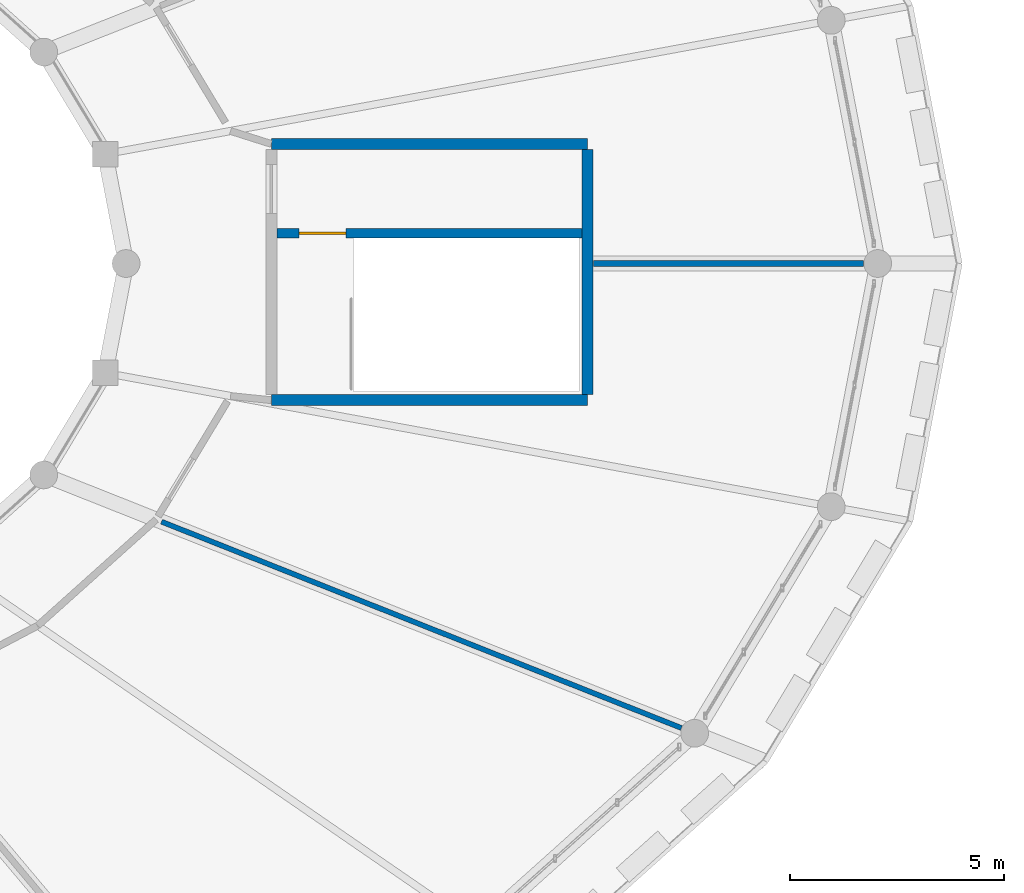
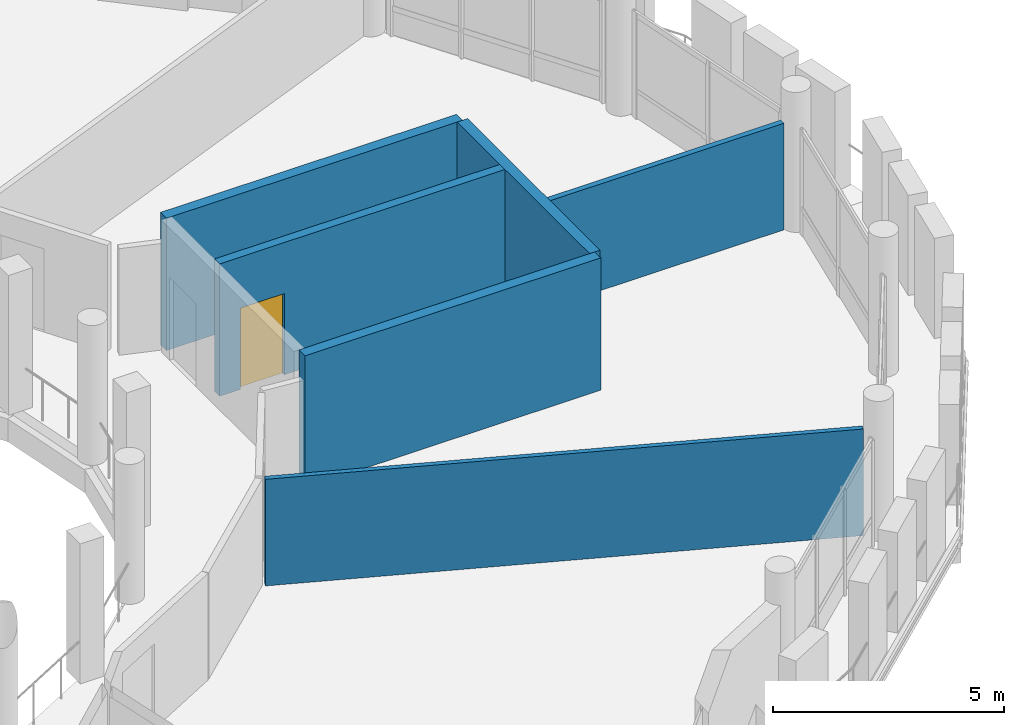
# One storey, part 71 of 84: 6 walls, 1 door, 1 opening.
"""IFC4 building model written with IfcOpenShell, lengths in metres."""

from ifc_helpers import new_model, si_unit, direction, frame, frame_2d, origin, place, context, subcontext, project, spatial, rectangle, extrude, material, layer, layer_set, type_object, element, fill, save


model = new_model("IFC4")

# Units and contexts
model_context = context("Model", 3, precision=1e-05, world=origin(), true_north=direction((0.0, 1.0)))
body_context = subcontext(model_context, "Body", "Model", "MODEL_VIEW")
ifc_project = project(units=[si_unit("LENGTHUNIT", "METRE"), si_unit("AREAUNIT", "SQUARE_METRE"), si_unit("VOLUMEUNIT", "CUBIC_METRE"), si_unit("PLANEANGLEUNIT", "RADIAN"), si_unit("MASSUNIT", "GRAM", prefix="KILO")], contexts=[model_context])

# Site, building, storey
site_placement = place(None, origin())
site = spatial("IfcSite", under=ifc_project, at=site_placement, CompositionType="ELEMENT")
building_placement = place(site_placement, origin())
building = spatial("IfcBuilding", under=site, at=building_placement, Name="Zornivar Specialist Clinic", CompositionType="ELEMENT")
storey_placement = place(building_placement, frame((0.0, 0.0, 12.300048828125)))
storey = spatial("IfcBuildingStorey", under=building, at=storey_placement, Name="L03", CompositionType="ELEMENT", Elevation=12.300048828125)

# Walls
ifc_material_1 = material(Name="Acoustic Clinical Stud Partition")
ifc_layer_1 = layer(ifc_material_1, 0.139892578125)
ifc_layer_set_1 = layer_set([ifc_layer_1], Name="Acoustic Clinical Stud Partition")
wall_type_1 = type_object("IfcWallType", Name="IW-CLIN-140", PredefinedType="PARTITIONING", material=ifc_layer_set_1)
wall_1_placement = place(storey_placement, frame((125.264892578125, 57.60009765625, 0.0), z_axis=(0.0, 0.0, 1.0), x_axis=(-1.0, 0.0, 0.0)))
element("IfcWall", 1, at=wall_1_placement, inside=storey, type_object=wall_type_1, Name="iw:L03:003", PredefinedType="PARTITIONING", context=body_context, shape_type="SweptSolid", body=[
    extrude(rectangle(XDim=6.31982421875, YDim=0.139892578125, at=frame_2d((3.159912109375, 0.0))), origin(), (0.0, 0.0, 1.0), 2.820068359375),
])
ifc_material_2 = material(Name="Acoustic Glazed Consultation Partition")
ifc_layer_2 = layer(ifc_material_2, 0.1201171875)
ifc_layer_set_2 = layer_set([ifc_layer_2], Name="Acoustic Glazed Consultation Partition")
wall_type_2 = type_object("IfcWallType", Name="IW-GLAZ-120", PredefinedType="PARTITIONING", material=ifc_layer_set_2)
wall_2_placement = place(storey_placement, frame((108.8291015625, 51.554931640625, 0.0), z_axis=(0.0, 0.0, 1.0), x_axis=(0.929482493756, -0.368866227516, 0.0)))
element("IfcWall", 2, at=wall_2_placement, inside=storey, type_object=wall_type_2, Name="iw:L03:043", PredefinedType="PARTITIONING", context=body_context, shape_type="SweptSolid", body=[
    extrude(rectangle(XDim=13.096435546875, YDim=0.1201171875, at=frame_2d((6.54833984375, 0.0))), origin(), (0.0, 0.0, 1.0), 2.820068359375),
])
ifc_material_3 = material(Name="Concrete C35/45", Category="concrete")
ifc_layer_3 = layer(ifc_material_3, 0.260009765625)
ifc_layer_set_3 = layer_set([ifc_layer_3], Name="Concrete C35/45")
wall_type_3 = type_object("IfcWallType", Name="SW-CORE-260", PredefinedType="SHEAR", material=ifc_layer_set_3)
wall_3_placement = place(storey_placement, frame((111.39990234375, 54.39990234375, 0.0), z_axis=(0.0, 0.0, 1.0), x_axis=(1.0, 0.0, 0.0)))
element("IfcWall", 3, at=wall_3_placement, inside=storey, type_object=wall_type_3, Name="sw:C4:L03:w0", PredefinedType="SHEAR", context=body_context, shape_type="SweptSolid", body=[
    extrude(rectangle(XDim=7.400146484375, YDim=0.260009765625, at=frame_2d((3.7001953125, 0.0))), origin(), (0.0, 0.0, 1.0), 3.5),
])
wall_4_placement = place(storey_placement, frame((118.800048828125, 54.530029296875, 0.0), z_axis=(0.0, 0.0, 1.0), x_axis=(0.0, 1.0, 0.0)))
element("IfcWall", 4, at=wall_4_placement, inside=storey, type_object=wall_type_3, Name="sw:C4:L03:w1", PredefinedType="SHEAR", context=body_context, shape_type="SweptSolid", body=[
    extrude(rectangle(XDim=5.739990234375, YDim=0.260009765625, at=frame_2d((2.8701171875, 0.0))), origin(), (0.0, 0.0, 1.0), 3.5),
])
wall_5_placement = place(storey_placement, frame((118.800048828125, 60.39990234375, 0.0), z_axis=(0.0, 0.0, 1.0), x_axis=(-1.0, 0.0, 0.0)))
element("IfcWall", 5, at=wall_5_placement, inside=storey, type_object=wall_type_3, Name="sw:C4:L03:w2", PredefinedType="SHEAR", context=body_context, shape_type="SweptSolid", body=[
    extrude(rectangle(XDim=7.400146484375, YDim=0.260009765625, at=frame_2d((3.7001953125, 0.0))), origin(), (0.0, 0.0, 1.0), 3.5),
])

# Wall, opening, door
ifc_material_4 = material(Name="Concrete C30/37", Category="concrete")
ifc_layer_4 = layer(ifc_material_4, 0.219970703125)
ifc_layer_set_4 = layer_set([ifc_layer_4], Name="Concrete C30/37")
wall_type_4 = type_object("IfcWallType", Name="SW-SHAFT-220", PredefinedType="SHEAR", material=ifc_layer_set_4)
wall_6_placement = place(storey_placement, frame((111.530029296875, 58.31005859375, 0.0), z_axis=(0.0, 0.0, 1.0), x_axis=(1.0, 0.0, 0.0)))
wall_6 = element("IfcWall", 6, at=wall_6_placement, inside=storey, type_object=wall_type_4, Name="sw:C4:L03:stwall", PredefinedType="SHEAR", context=body_context, shape_type="SweptSolid", body=[
    extrude(rectangle(XDim=7.139892578125, YDim=0.219970703125, at=frame_2d((3.56982421875, 0.0))), origin(), (0.0, 0.0, 1.0), 3.5),
])
opening_placement = place(wall_6_placement, frame((0.52001953125, 0.0, 0.0)))
opening = element("IfcOpeningElement", 7, at=opening_placement, cuts=wall_6, Name="Opening FD-02", PredefinedType="OPENING", context=body_context, shape_type="SweptSolid", body=[
    extrude(rectangle(XDim=1.10009765625, YDim=2.14990234375, at=frame_2d((0.550048828125, 1.074951171875))), frame((0.0, 0.119873046875, 0.0), z_axis=(0.0, -1.0, 0.0), x_axis=(1.0, 0.0, 0.0)), (0.0, 0.0, 1.0), 0.239990234375),
])
ifc_material_5 = material(Name="Solid-Core Hygienic Laminate Timber Door", Category="wood")
door_type = type_object("IfcDoorType", Name="FD-STAIR-1100x2150", OperationType="NOTDEFINED", PredefinedType="DOOR", material=ifc_material_5)
door_placement = place(opening_placement, origin())
door = element("IfcDoor", 8, at=door_placement, inside=storey, type_object=door_type, Name="door:C4:L03:stair", OperationType="SINGLE_SWING_LEFT", OverallHeight=2.14990234375, OverallWidth=1.10009765625, PredefinedType="DOOR", context=body_context, shape_type="SweptSolid", body=[
    extrude(rectangle(XDim=1.10009765625, YDim=2.14990234375, at=frame_2d((0.550048828125, 1.074951171875))), frame((0.0, 0.02490234375, 0.0), z_axis=(0.0, -1.0, 0.0), x_axis=(1.0, 0.0, 0.0)), (0.0, 0.0, 1.0), 0.050048828125),
])
fill(opening, door)

save(model, "model.ifc")
